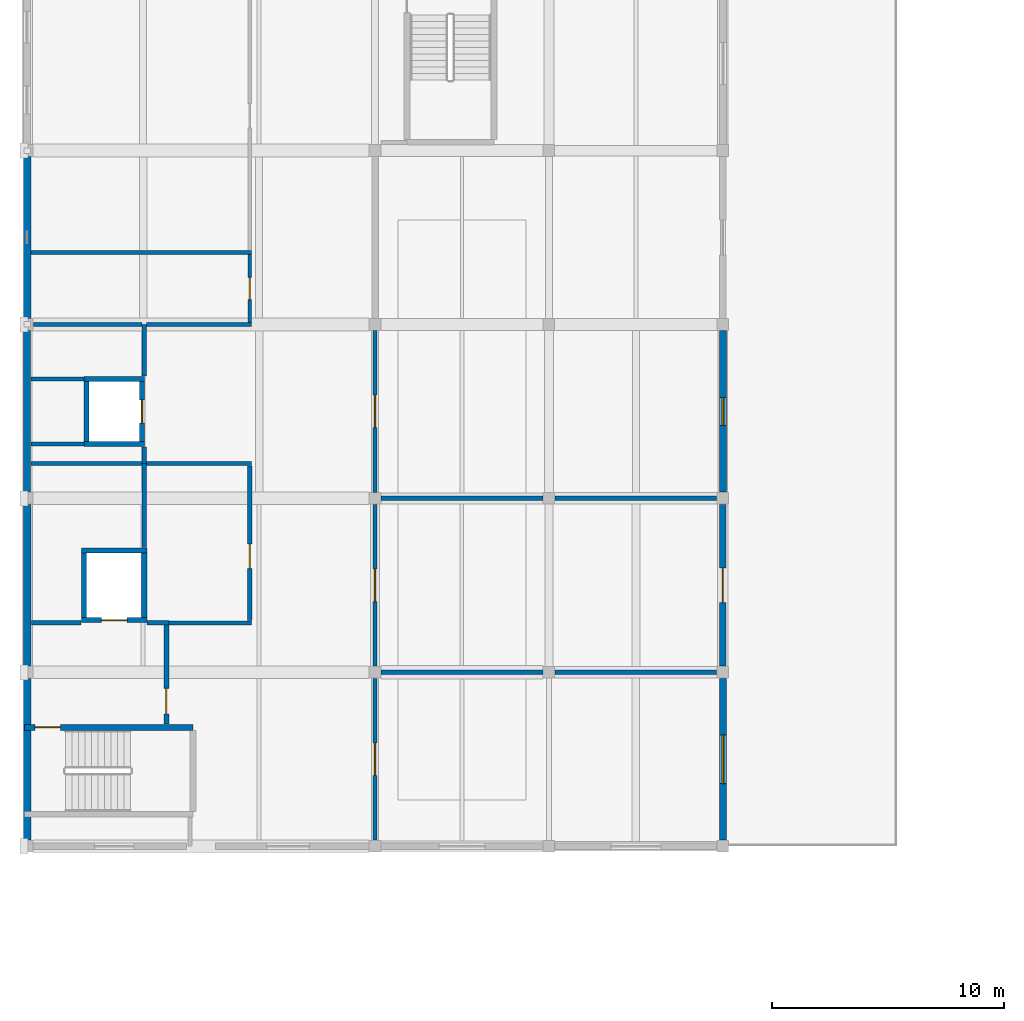
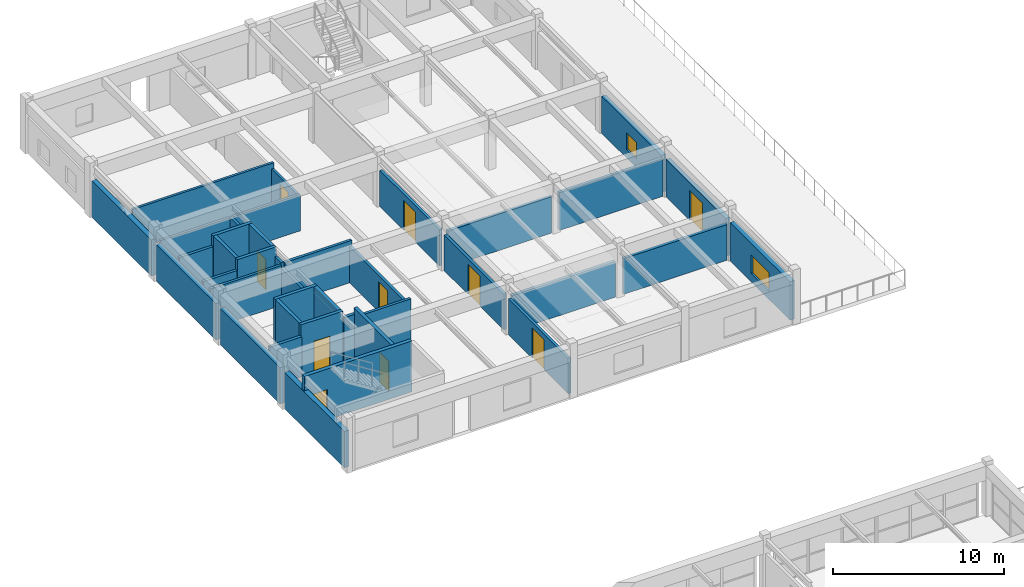
# One storey, part 64 of 82: 39 walls, 10 doors, 2 windows, 12 openings.
"""IFC4 building model written with IfcOpenShell, lengths in metres."""

import ifcopenshell
import ifcopenshell.guid

model = None  # the IFC model being written
_history = None  # IfcOwnerHistory: only IFC2X3 demands one
_inside = {}  # id of a spatial element -> (the spatial element, [elements in it])
_under = {}  # id of a project, library or spatial element -> (it, [spatial elements below it])
_declared = {}  # id of a project -> (the project, [libraries it declares])
_typed = {}  # id of a type object -> (the type object, [elements of that type])
_made_of = {}  # id of a material, layer set ... -> (it, [elements and type objects made of it])


def new_model(schema):
    """Start an empty IFC model of exactly this schema.

    Asked for "IFC4X3", IfcOpenShell would pick the latest addendum, in which some entities
    have other attributes; the version numbers below select the first issue.
    IFC2X3 requires an IfcOwnerHistory on every rooted entity: one is made here for all.
    """
    global model, _history
    if schema == "IFC4X3":
        model = ifcopenshell.file(schema_version=(4, 3, 0, 0))
    else:
        model = ifcopenshell.file(schema=schema)
    _inside.clear()
    _under.clear()
    _declared.clear()
    _typed.clear()
    _made_of.clear()
    _history = None
    if model.schema == "IFC2X3":
        org = make("IfcOrganization", Name="unknown")
        user = make(
            "IfcPersonAndOrganization",
            ThePerson=make("IfcPerson", FamilyName="unknown"),
            TheOrganization=org,
        )
        app = make(
            "IfcApplication",
            ApplicationDeveloper=org,
            Version="unknown",
            ApplicationFullName="unknown",
            ApplicationIdentifier="unknown",
        )
        _history = make(
            "IfcOwnerHistory",
            OwningUser=user,
            OwningApplication=app,
            ChangeAction="ADDED",
            CreationDate=0,
        )
    return model


def make(cls, **values):
    """One entity of the class cls with the attributes given. An attribute that is None is left unset."""
    return model.create_entity(
        cls, **{name: value for name, value in values.items() if value is not None}
    )


def rooted(cls, **values):
    """An entity with a GlobalId (a new one), such as an element, a storey or a relation."""
    return make(cls, GlobalId=ifcopenshell.guid.new(), OwnerHistory=_history, **values)


def si_unit(unit_type, name, prefix=None):
    """IfcSIUnit, for example si_unit("LENGTHUNIT", "METRE", prefix="MILLI")."""
    return make("IfcSIUnit", UnitType=unit_type, Prefix=prefix, Name=name)


def assignment(units):
    """IfcUnitAssignment: the units of a project."""
    return None if units is None else make("IfcUnitAssignment", Units=units)


def point(xyz):
    """IfcCartesianPoint."""
    return None if xyz is None else make("IfcCartesianPoint", Coordinates=xyz)


def direction(xyz):
    """IfcDirection."""
    return None if xyz is None else make("IfcDirection", DirectionRatios=xyz)


def frame(location, z_axis=None, x_axis=None):
    """IfcAxis2Placement3D, a coordinate frame: its origin and axes. An axis left out is left unset."""
    return make(
        "IfcAxis2Placement3D",
        Location=point(location),
        Axis=direction(z_axis),
        RefDirection=direction(x_axis),
    )


def frame_2d(location, x_axis=None):
    """IfcAxis2Placement2D, a coordinate frame in the plane: its origin and x axis."""
    return make(
        "IfcAxis2Placement2D", Location=point(location), RefDirection=direction(x_axis)
    )


def origin():
    """The frame at (0, 0, 0) with its axes left unset."""
    return frame((0.0, 0.0, 0.0))


def place(relative_to, where):
    """IfcLocalPlacement: puts the frame where relative to a parent placement (None: the world)."""
    return make(
        "IfcLocalPlacement", PlacementRelTo=relative_to, RelativePlacement=where
    )


def context(
    kind, dimensions, precision=None, world=None, true_north=None, identifier=None
):
    """IfcGeometricRepresentationContext, for example the 3D "Model" context."""
    return make(
        "IfcGeometricRepresentationContext",
        ContextIdentifier=identifier,
        ContextType=kind,
        CoordinateSpaceDimension=dimensions,
        Precision=precision,
        WorldCoordinateSystem=world,
        TrueNorth=true_north,
    )


def subcontext(parent, identifier, kind, view, scale=None):
    """IfcGeometricRepresentationSubContext, for example "Body" below "Model"."""
    return make(
        "IfcGeometricRepresentationSubContext",
        ContextIdentifier=identifier,
        ContextType=kind,
        ParentContext=parent,
        TargetScale=scale,
        TargetView=view,
    )


def project(units=None, contexts=None):
    """IfcProject with its units and contexts."""
    return rooted(
        "IfcProject",
        Name="project",
        RepresentationContexts=contexts,
        UnitsInContext=assignment(units),
    )


def spatial(cls, under=None, at=None, **own):
    """A site, building, storey or space (cls), placed at a placement, below another one or the project."""
    s = rooted(cls, ObjectPlacement=at, **own)
    if under is not None:
        _under.setdefault(under.id(), (under, []))[1].append(s)
    return s


def profile(cls, at=None, kind="AREA", **sizes):
    """A parametric profile (cls). Its sizes go by their IFC names, for example OverallWidth=200.0."""
    return make(cls, ProfileType=kind, Position=at, **sizes)


def rectangle(**sizes):
    """IfcRectangleProfileDef."""
    return profile("IfcRectangleProfileDef", **sizes)


def extrude(swept, where, along, depth):
    """IfcExtrudedAreaSolid: the profile swept, set in the frame where, extruded along a direction by depth."""
    return make(
        "IfcExtrudedAreaSolid",
        SweptArea=swept,
        Position=where,
        ExtrudedDirection=direction(along),
        Depth=depth,
    )


def shape(context_of_items, identifier, shape_type, items):
    """IfcShapeRepresentation: the items that make up one representation, for example the "Body"."""
    return make(
        "IfcShapeRepresentation",
        ContextOfItems=context_of_items,
        RepresentationIdentifier=identifier,
        RepresentationType=shape_type,
        Items=items,
    )


def material(Name=None, Category=None):
    """IfcMaterial."""
    return make("IfcMaterial", Name=Name, Category=Category)


def layer(
    of_material, thickness, ventilated=None, Name=None, Category=None, Priority=None
):
    """IfcMaterialLayer: one layer of a wall or slab, of a material (None: an air gap)."""
    return make(
        "IfcMaterialLayer",
        Material=of_material,
        LayerThickness=thickness,
        IsVentilated=ventilated,
        Name=Name,
        Category=Category,
        Priority=Priority,
    )


def layer_set(layers, Name=None):
    """IfcMaterialLayerSet."""
    return make("IfcMaterialLayerSet", MaterialLayers=layers, LayerSetName=Name)


def made_of(thing, what):
    """Note that an element or type object is made of a material, layer set ...; save() writes the relation."""
    if what is not None:
        _made_of.setdefault(what.id(), (what, []))[1].append(thing)
    return thing


def type_object(cls, material=None, **own):
    """A type object (cls), such as IfcWallType, which elements share."""
    return made_of(rooted(cls, **own), material)


def element(
    cls,
    number,
    at=None,
    inside=None,
    cuts=None,
    type_object=None,
    material=None,
    context=None,
    identifier="Body",
    shape_type=None,
    held_by="IfcProductDefinitionShape",
    body=None,
    shapes=None,
    **own,
):
    """One element of the class cls, such as IfcWall. Its Tag is "e" and its number.

    at: its placement. inside: the storey or other place that contains it. cuts: it is an
    opening in that element (IfcRelVoidsElement). A single representation is given by context,
    identifier, shape_type and body (its items); several are given by shapes. held_by: the class
    of the entity that holds the representations. save() writes the other relations.
    """
    e = rooted(cls, Tag="e%d" % number, ObjectPlacement=at, **own)
    if body is not None:
        shapes = [shape(context, identifier, shape_type, body)]
    if shapes is not None:
        e.Representation = make(held_by, Representations=shapes)
    if inside is not None:
        _inside.setdefault(inside.id(), (inside, []))[1].append(e)
    if cuts is not None:
        rooted(
            "IfcRelVoidsElement", RelatingBuildingElement=cuts, RelatedOpeningElement=e
        )
    if type_object is not None:
        _typed.setdefault(type_object.id(), (type_object, []))[1].append(e)
    return made_of(e, material)


def fill(opening, filler):
    """IfcRelFillsElement: the door or window that sits in an opening."""
    return rooted(
        "IfcRelFillsElement",
        RelatingOpeningElement=opening,
        RelatedBuildingElement=filler,
    )


def aggregate(whole, parts):
    """IfcRelAggregates: a whole, such as a stair, and the parts it consists of."""
    return rooted("IfcRelAggregates", RelatingObject=whole, RelatedObjects=parts)


def save(model, path):
    """Write the relations noted so far, then the file.

    IfcRelAggregates (storeys below a building ...), IfcRelContainedInSpatialStructure (elements
    in a storey), IfcRelDefinesByType, IfcRelAssociatesMaterial and IfcRelDeclares: one each for
    every whole, place, type object, material and project.
    """
    for whole, parts in _under.values():
        aggregate(whole, parts)
    for where, things in _inside.values():
        rooted(
            "IfcRelContainedInSpatialStructure",
            RelatedElements=things,
            RelatingStructure=where,
        )
    for kind, things in _typed.values():
        rooted("IfcRelDefinesByType", RelatedObjects=things, RelatingType=kind)
    for what, things in _made_of.values():
        rooted("IfcRelAssociatesMaterial", RelatedObjects=things, RelatingMaterial=what)
    for by, libraries in _declared.values():
        rooted("IfcRelDeclares", RelatingContext=by, RelatedDefinitions=libraries)
    model.write(path)


model = new_model("IFC4")

# Units and contexts
model_context = context("Model", 3, precision=1e-05, world=origin(), true_north=direction((0.0, 1.0)))
body_context = subcontext(model_context, "Body", "Model", "MODEL_VIEW")
ifc_project = project(units=[si_unit("LENGTHUNIT", "METRE"), si_unit("AREAUNIT", "SQUARE_METRE"), si_unit("VOLUMEUNIT", "CUBIC_METRE"), si_unit("PLANEANGLEUNIT", "RADIAN"), si_unit("MASSUNIT", "GRAM", prefix="KILO")], contexts=[model_context])

# Site, building, storey
site_placement = place(None, origin())
site = spatial("IfcSite", under=ifc_project, at=site_placement, CompositionType="ELEMENT")
building_placement = place(site_placement, origin())
building = spatial("IfcBuilding", under=site, at=building_placement, Name="Qasida Concert Hall", CompositionType="ELEMENT")
storey_placement = place(building_placement, frame((0.0, 0.0, 17.10009765625)))
storey = spatial("IfcBuildingStorey", under=building, at=storey_placement, Name="L04", CompositionType="ELEMENT", Elevation=17.10009765625)

# Walls
ifc_material_1 = material(Name="Concrete C40/50", Category="concrete")
ifc_layer_1 = layer(ifc_material_1, 0.219970703125, Name="Concrete C40/50")
ifc_layer_set_1 = layer_set([ifc_layer_1], Name="Concrete C40/50")
wall_type_1 = type_object("IfcWallType", Name="WL-CW-220", PredefinedType="SOLIDWALL", material=ifc_layer_set_1)
for number, where, z_axis, x_axis, name in (
    (1, (2.43994140625, 92.35009765625, 0.0), (0.0, 0.0, 1.0), (1.0, 0.0, 0.0), "L04 LF-07 lift shaft wall S"),
    (2, (2.43994140625, 95.14990234375, 0.0), (0.0, 0.0, 1.0), (1.0, 0.0, 0.0), "L04 LF-07 lift shaft wall N"),
):
    element("IfcWall", number, at=place(storey_placement, frame(where, z_axis=z_axis, x_axis=x_axis)), inside=storey, type_object=wall_type_1, Name=name, PredefinedType="SOLIDWALL", context=body_context, shape_type="SweptSolid", body=[
        extrude(rectangle(XDim=2.6201171875, YDim=0.219970703125, at=frame_2d((1.31005859375, 0.0))), origin(), (0.0, 0.0, 1.0), 3.619873046875),
    ])
wall_1_placement = place(storey_placement, frame((2.550048828125, 92.4599609375, 0.0), z_axis=(0.0, 0.0, 1.0), x_axis=(0.0, 1.0, 0.0)))
element("IfcWall", 3, at=wall_1_placement, inside=storey, type_object=wall_type_1, Name="L04 LF-07 lift shaft wall W", PredefinedType="SOLIDWALL", context=body_context, shape_type="SweptSolid", body=[
    extrude(rectangle(XDim=2.580078125, YDim=0.219970703125, at=frame_2d((1.2900390625, 0.0))), origin(), (0.0, 0.0, 1.0), 3.619873046875),
])

# Wall, opening, door
wall_2_placement = place(storey_placement, frame((4.949951171875, 92.4599609375, 0.0), z_axis=(0.0, 0.0, 1.0), x_axis=(0.0, 1.0, 0.0)))
wall_2 = element("IfcWall", 4, at=wall_2_placement, inside=storey, type_object=wall_type_1, Name="L04 LF-07 lift shaft wall E", PredefinedType="SOLIDWALL", context=body_context, shape_type="SweptSolid", body=[
    extrude(rectangle(XDim=2.580078125, YDim=0.219970703125, at=frame_2d((1.2900390625, 0.0))), origin(), (0.0, 0.0, 1.0), 3.619873046875),
])
opening_1_placement = place(wall_2_placement, frame((0.7900390625, 0.0, 0.0)))
opening_1 = element("IfcOpeningElement", 5, at=opening_1_placement, cuts=wall_2, Name="Opening LD-100", PredefinedType="OPENING", context=body_context, shape_type="SweptSolid", body=[
    extrude(rectangle(XDim=1.0, YDim=2.14990234375, at=frame_2d((0.5, 1.074951171875))), frame((0.0, 0.119873046875, 0.0), z_axis=(0.0, -1.0, 0.0), x_axis=(1.0, 0.0, 0.0)), (0.0, 0.0, 1.0), 0.239990234375),
])
ifc_material_2 = material(Name="Brushed bronze passenger lift landing door", Category="steel")
door_type_1 = type_object("IfcDoorType", Name="LD-100", OperationType="SLIDING_TO_LEFT", PredefinedType="DOOR", material=ifc_material_2)
door_1_placement = place(opening_1_placement, origin())
door_1 = element("IfcDoor", 6, at=door_1_placement, inside=storey, type_object=door_type_1, Name="Lift landing door LF-07 L04", OperationType="SLIDING_TO_LEFT", OverallHeight=2.14990234375, OverallWidth=1.0, PredefinedType="DOOR", context=body_context, shape_type="SweptSolid", body=[
    extrude(rectangle(XDim=1.0, YDim=2.14990234375, at=frame_2d((0.5, 1.074951171875))), frame((0.0, 0.02490234375, 0.0), z_axis=(0.0, -1.0, 0.0), x_axis=(1.0, 0.0, 0.0)), (0.0, 0.0, 1.0), 0.050048828125),
])
fill(opening_1, door_1)

wall_3_placement = place(storey_placement, frame((2.340087890625, 84.75, 0.0), z_axis=(0.0, 0.0, 1.0), x_axis=(1.0, 0.0, 0.0)))
wall_3 = element("IfcWall", 7, at=wall_3_placement, inside=storey, type_object=wall_type_1, Name="L04 LF-08 lift shaft wall S", PredefinedType="SOLIDWALL", context=body_context, shape_type="SweptSolid", body=[
    extrude(rectangle(XDim=2.81982421875, YDim=0.219970703125, at=frame_2d((1.409912109375, 0.0))), origin(), (0.0, 0.0, 1.0), 3.619873046875),
])
opening_2_placement = place(wall_3_placement, frame((0.860107421875, 0.0, 0.0)))
opening_2 = element("IfcOpeningElement", 8, at=opening_2_placement, cuts=wall_3, Name="Opening LD-110", PredefinedType="OPENING", context=body_context, shape_type="SweptSolid", body=[
    extrude(rectangle(XDim=1.10009765625, YDim=2.14990234375, at=frame_2d((0.550048828125, 1.074951171875))), frame((0.0, 0.119873046875, 0.0), z_axis=(0.0, -1.0, 0.0), x_axis=(1.0, 0.0, 0.0)), (0.0, 0.0, 1.0), 0.239990234375),
])
ifc_material_3 = material(Name="Firefighting lift sliding landing door", Category="steel")
door_type_2 = type_object("IfcDoorType", Name="LD-110", OperationType="SLIDING_TO_LEFT", PredefinedType="DOOR", material=ifc_material_3)
door_2_placement = place(opening_2_placement, origin())
door_2 = element("IfcDoor", 9, at=door_2_placement, inside=storey, type_object=door_type_2, Name="Lift landing door LF-08 L04", OperationType="SLIDING_TO_LEFT", OverallHeight=2.14990234375, OverallWidth=1.10009765625, PredefinedType="DOOR", context=body_context, shape_type="SweptSolid", body=[
    extrude(rectangle(XDim=1.10009765625, YDim=2.14990234375, at=frame_2d((0.550048828125, 1.074951171875))), frame((0.0, 0.02490234375, 0.0), z_axis=(0.0, -1.0, 0.0), x_axis=(1.0, 0.0, 0.0)), (0.0, 0.0, 1.0), 0.050048828125),
])
fill(opening_2, door_2)

# Walls
wall_4_placement = place(storey_placement, frame((2.340087890625, 87.75, 0.0), z_axis=(0.0, 0.0, 1.0), x_axis=(1.0, 0.0, 0.0)))
element("IfcWall", 10, at=wall_4_placement, inside=storey, type_object=wall_type_1, Name="L04 LF-08 lift shaft wall N", PredefinedType="SOLIDWALL", context=body_context, shape_type="SweptSolid", body=[
    extrude(rectangle(XDim=2.81982421875, YDim=0.219970703125, at=frame_2d((1.409912109375, 0.0))), origin(), (0.0, 0.0, 1.0), 3.619873046875),
])
for number, where, z_axis, x_axis, name in (
    (11, (2.449951171875, 84.860107421875, 0.0), (0.0, 0.0, 1.0), (0.0, 1.0, 0.0), "L04 LF-08 lift shaft wall W"),
    (12, (5.050048828125, 84.860107421875, 0.0), (0.0, 0.0, 1.0), (0.0, 1.0, 0.0), "L04 LF-08 lift shaft wall E"),
):
    element("IfcWall", number, at=place(storey_placement, frame(where, z_axis=z_axis, x_axis=x_axis)), inside=storey, type_object=wall_type_1, Name=name, PredefinedType="SOLIDWALL", context=body_context, shape_type="SweptSolid", body=[
        extrude(rectangle(XDim=2.77978515625, YDim=0.219970703125, at=frame_2d((1.389892578125, 0.0))), origin(), (0.0, 0.0, 1.0), 3.619873046875),
    ])

# Wall, opening, door
wall_5_placement = place(storey_placement, frame((6.0, 80.260009765625, 0.0), z_axis=(0.0, 0.0, 1.0), x_axis=(0.0, 1.0, 0.0)))
wall_5 = element("IfcWall", 13, at=wall_5_placement, inside=storey, type_object=wall_type_1, Name="L04 LF-08 firefighting lobby wall", PredefinedType="SOLIDWALL", context=body_context, shape_type="SweptSolid", body=[
    extrude(rectangle(XDim=4.369873046875, YDim=0.219970703125, at=frame_2d((2.18505859375, 0.0))), origin(), (0.0, 0.0, 1.0), 3.619873046875),
])
opening_3_placement = place(wall_5_placement, frame((0.449951171875, 0.0, 0.0)))
opening_3 = element("IfcOpeningElement", 14, at=opening_3_placement, cuts=wall_5, Name="Opening FD-110", PredefinedType="OPENING", context=body_context, shape_type="SweptSolid", body=[
    extrude(rectangle(XDim=1.10009765625, YDim=2.14990234375, at=frame_2d((0.550048828125, 1.074951171875))), frame((0.0, 0.119873046875, 0.0), z_axis=(0.0, -1.0, 0.0), x_axis=(1.0, 0.0, 0.0)), (0.0, 0.0, 1.0), 0.239990234375),
])
ifc_material_4 = material(Name="Steel fire-rated stair/lobby door set", Category="steel")
door_type_3 = type_object("IfcDoorType", Name="FD-110", OperationType="NOTDEFINED", PredefinedType="DOOR", material=ifc_material_4)
door_3_placement = place(opening_3_placement, origin())
door_3 = element("IfcDoor", 15, at=door_3_placement, inside=storey, type_object=door_type_3, Name="L04 LF-08 firefighting lobby fire door", OperationType="SINGLE_SWING_LEFT", OverallHeight=2.14990234375, OverallWidth=1.10009765625, PredefinedType="DOOR", context=body_context, shape_type="SweptSolid", body=[
    extrude(rectangle(XDim=1.10009765625, YDim=2.14990234375, at=frame_2d((0.550048828125, 1.074951171875))), frame((0.0, 0.02490234375, 0.0), z_axis=(0.0, -1.0, 0.0), x_axis=(1.0, 0.0, 0.0)), (0.0, 0.0, 1.0), 0.050048828125),
])
fill(opening_3, door_3)

ifc_layer_2 = layer(ifc_material_1, 0.25, Name="Concrete C40/50")
ifc_layer_set_2 = layer_set([ifc_layer_2], Name="Concrete C40/50")
wall_type_2 = type_object("IfcWallType", Name="WL-CW-250", PredefinedType="SOLIDWALL", material=ifc_layer_set_2)
wall_6_placement = place(storey_placement, frame((-0.1201171875, 80.125, 0.0), z_axis=(0.0, 0.0, 1.0), x_axis=(1.0, 0.0, 0.0)))
wall_6 = element("IfcWall", 16, at=wall_6_placement, inside=storey, type_object=wall_type_2, Name="L04 ST-05 stairwell wall N", PredefinedType="SOLIDWALL", context=body_context, shape_type="SweptSolid", body=[
    extrude(rectangle(XDim=7.260009765625, YDim=0.25, at=frame_2d((3.6298828125, 0.0))), origin(), (0.0, 0.0, 1.0), 3.619873046875),
])
opening_4_placement = place(wall_6_placement, frame((0.449951171875, 0.0, 0.0)))
opening_4 = element("IfcOpeningElement", 17, at=opening_4_placement, cuts=wall_6, Name="Opening FD-110", PredefinedType="OPENING", context=body_context, shape_type="SweptSolid", body=[
    extrude(rectangle(XDim=1.10009765625, YDim=2.14990234375, at=frame_2d((0.550048828125, 1.074951171875))), frame((0.0, 0.135009765625, 0.0), z_axis=(0.0, -1.0, 0.0), x_axis=(1.0, 0.0, 0.0)), (0.0, 0.0, 1.0), 0.27001953125),
])
door_4_placement = place(opening_4_placement, origin())
door_4 = element("IfcDoor", 18, at=door_4_placement, inside=storey, type_object=door_type_3, Name="L04 ST-05 rated stair door", OperationType="SINGLE_SWING_RIGHT", OverallHeight=2.14990234375, OverallWidth=1.10009765625, PredefinedType="DOOR", context=body_context, shape_type="SweptSolid", body=[
    extrude(rectangle(XDim=1.10009765625, YDim=2.14990234375, at=frame_2d((0.550048828125, 1.074951171875))), frame((0.0, 0.02490234375, 0.0), z_axis=(0.0, -1.0, 0.0), x_axis=(1.0, 0.0, 0.0)), (0.0, 0.0, 1.0), 0.050048828125),
])
fill(opening_4, door_4)

ifc_material_5 = material(Name="Precast concrete C40/50", Category="concrete")
ifc_layer_3 = layer(ifc_material_5, 0.280029296875, Name="Precast concrete C40/50")
ifc_layer_set_3 = layer_set([ifc_layer_3], Name="Precast concrete C40/50")
wall_type_3 = type_object("IfcWallType", Name="WL-EW-280", PredefinedType="SOLIDWALL", material=ifc_layer_set_3)
wall_7_placement = place(storey_placement, frame((30.0, 82.764892578125, 0.0), z_axis=(0.0, 0.0, 1.0), x_axis=(0.0, 1.0, 0.0)))
wall_7 = element("IfcWall", 19, at=wall_7_placement, inside=storey, type_object=wall_type_3, Name="L04 exterior wall EW-280 0303", PredefinedType="SOLIDWALL", context=body_context, shape_type="SweptSolid", body=[
    extrude(rectangle(XDim=6.97021484375, YDim=0.280029296875, at=frame_2d((3.485107421875, 0.0))), origin(), (0.0, 0.0, 1.0), 2.68994140625),
])
opening_5_placement = place(wall_7_placement, frame((2.735107421875, 0.0, 0.0)))
opening_5 = element("IfcOpeningElement", 20, at=opening_5_placement, cuts=wall_7, Name="Opening TD-150", PredefinedType="OPENING", context=body_context, shape_type="SweptSolid", body=[
    extrude(rectangle(XDim=1.5, YDim=2.14990234375, at=frame_2d((0.75, 1.074951171875))), frame((0.0, 0.14990234375, 0.0), z_axis=(0.0, -1.0, 0.0), x_axis=(1.0, 0.0, 0.0)), (0.0, 0.0, 1.0), 0.300048828125),
])
ifc_material_6 = material(Name="Patinated architectural bronze and laminated safety glass", Category="glass")
door_type_4 = type_object("IfcDoorType", Name="TD-150", OperationType="NOTDEFINED", PredefinedType="DOOR", material=ifc_material_6)
door_5_placement = place(opening_5_placement, frame((1.5, 0.0, 0.0), z_axis=(0.0, 0.0, 1.0), x_axis=(-1.0, 0.0, 0.0)))
door_5 = element("IfcDoor", 21, at=door_5_placement, inside=storey, type_object=door_type_4, Name="L04 ziggurat east terrace door 1", OperationType="SINGLE_SWING_LEFT", OverallHeight=2.14990234375, OverallWidth=1.5, PredefinedType="DOOR", context=body_context, shape_type="SweptSolid", body=[
    extrude(rectangle(XDim=1.5, YDim=2.14990234375, at=frame_2d((0.75, 1.074951171875))), frame((0.0, 0.02490234375, 0.0), z_axis=(0.0, -1.0, 0.0), x_axis=(1.0, 0.0, 0.0)), (0.0, 0.0, 1.0), 0.050048828125),
])
fill(opening_5, door_5)

# Wall, opening, window
ifc_layer_4 = layer(ifc_material_5, 0.300048828125, Name="Precast concrete C40/50")
ifc_layer_set_4 = layer_set([ifc_layer_4], Name="Precast concrete C40/50")
wall_type_4 = type_object("IfcWallType", Name="WL-EW-300", PredefinedType="SOLIDWALL", material=ifc_layer_set_4)
wall_8_placement = place(storey_placement, frame((30.0, 75.264892578125, 0.0), z_axis=(0.0, 0.0, 1.0), x_axis=(0.0, 1.0, 0.0)))
wall_8 = element("IfcWall", 22, at=wall_8_placement, inside=storey, type_object=wall_type_4, Name="L04 exterior wall EW-300 0301", PredefinedType="SOLIDWALL", context=body_context, shape_type="SweptSolid", body=[
    extrude(rectangle(XDim=6.97021484375, YDim=0.300048828125, at=frame_2d((3.485107421875, 0.0))), origin(), (0.0, 0.0, 1.0), 2.739990234375),
])
opening_6_placement = place(wall_8_placement, frame((2.43505859375, 0.0, 0.60009765625)))
opening_6 = element("IfcOpeningElement", 23, at=opening_6_placement, cuts=wall_8, Name="Opening WN-15", PredefinedType="OPENING", context=body_context, shape_type="SweptSolid", body=[
    extrude(rectangle(XDim=2.10009765625, YDim=1.300048828125, at=frame_2d((1.050048828125, 0.64990234375))), frame((0.0, 0.159912109375, 0.0), z_axis=(0.0, -1.0, 0.0), x_axis=(1.0, 0.0, 0.0)), (0.0, 0.0, 1.0), 0.320068359375),
])
ifc_material_7 = material(Name="Bronze-anodized aluminium frame with acoustic low-E glazing", Category="aluminium")
window_type_1 = type_object("IfcWindowType", Name="WN-15", PartitioningType="SINGLE_PANEL", PredefinedType="WINDOW", material=ifc_material_7)
window_1_placement = place(opening_6_placement, origin())
window_1 = element("IfcWindow", 24, at=window_1_placement, inside=storey, type_object=window_type_1, Name="L04 window WN-15 0166", OverallHeight=1.300048828125, OverallWidth=2.10009765625, PartitioningType="SINGLE_PANEL", PredefinedType="WINDOW", context=body_context, shape_type="SweptSolid", body=[
    extrude(rectangle(XDim=2.10009765625, YDim=1.300048828125, at=frame_2d((1.050048828125, 0.64990234375))), frame((0.0, 0.030029296875, 0.0), z_axis=(0.0, -1.0, 0.0), x_axis=(1.0, 0.0, 0.0)), (0.0, 0.0, 1.0), 0.06005859375),
])
fill(opening_6, window_1)

# Wall
wall_9_placement = place(storey_placement, frame((0.0, 90.264892578125, 0.0), z_axis=(0.0, 0.0, 1.0), x_axis=(0.0, 1.0, 0.0)))
element("IfcWall", 25, at=wall_9_placement, inside=storey, type_object=wall_type_4, Name="L04 exterior wall EW-300 0304", PredefinedType="SOLIDWALL", context=body_context, shape_type="SweptSolid", body=[
    extrude(rectangle(XDim=6.97021484375, YDim=0.300048828125, at=frame_2d((3.485107421875, 0.0))), origin(), (0.0, 0.0, 1.0), 2.58984375),
])

# Wall, opening, window
wall_10_placement = place(storey_placement, frame((30.0, 90.264892578125, 0.0), z_axis=(0.0, 0.0, 1.0), x_axis=(0.0, 1.0, 0.0)))
wall_10 = element("IfcWall", 26, at=wall_10_placement, inside=storey, type_object=wall_type_4, Name="L04 exterior wall EW-300 0305", PredefinedType="SOLIDWALL", context=body_context, shape_type="SweptSolid", body=[
    extrude(rectangle(XDim=6.97021484375, YDim=0.300048828125, at=frame_2d((3.485107421875, 0.0))), origin(), (0.0, 0.0, 1.0), 2.639892578125),
])
opening_7_placement = place(wall_10_placement, frame((2.885009765625, 0.0, 0.60009765625)))
opening_7 = element("IfcOpeningElement", 27, at=opening_7_placement, cuts=wall_10, Name="Opening WN-17", PredefinedType="OPENING", context=body_context, shape_type="SweptSolid", body=[
    extrude(rectangle(XDim=1.199951171875, YDim=1.199951171875, at=frame_2d((0.60009765625, 0.60009765625))), frame((0.0, 0.159912109375, 0.0), z_axis=(0.0, -1.0, 0.0), x_axis=(1.0, 0.0, 0.0)), (0.0, 0.0, 1.0), 0.320068359375),
])
window_type_2 = type_object("IfcWindowType", Name="WN-17", PartitioningType="SINGLE_PANEL", PredefinedType="WINDOW", material=ifc_material_7)
window_2_placement = place(opening_7_placement, origin())
window_2 = element("IfcWindow", 28, at=window_2_placement, inside=storey, type_object=window_type_2, Name="L04 window WN-17 0167", OverallHeight=1.199951171875, OverallWidth=1.199951171875, PartitioningType="SINGLE_PANEL", PredefinedType="WINDOW", context=body_context, shape_type="SweptSolid", body=[
    extrude(rectangle(XDim=1.199951171875, YDim=1.199951171875, at=frame_2d((0.60009765625, 0.60009765625))), frame((0.0, 0.030029296875, 0.0), z_axis=(0.0, -1.0, 0.0), x_axis=(1.0, 0.0, 0.0)), (0.0, 0.0, 1.0), 0.06005859375),
])
fill(opening_7, window_2)

# Walls
ifc_layer_5 = layer(ifc_material_5, 0.320068359375, Name="Precast concrete C40/50")
ifc_layer_set_5 = layer_set([ifc_layer_5], Name="Precast concrete C40/50")
wall_type_5 = type_object("IfcWallType", Name="WL-EW-320", PredefinedType="SOLIDWALL", material=ifc_layer_set_5)
for number, where, z_axis, x_axis, name in (
    (29, (0.0, 75.264892578125, 0.0), (0.0, 0.0, 1.0), (0.0, 1.0, 0.0), "L04 exterior wall EW-320 0300"),
    (30, (0.0, 82.764892578125, 0.0), (0.0, 0.0, 1.0), (0.0, 1.0, 0.0), "L04 exterior wall EW-320 0302"),
    (31, (0.0, 97.764892578125, 0.0), (0.0, 0.0, 1.0), (0.0, 1.0, 0.0), "L04 exterior wall EW-320 0306"),
):
    element("IfcWall", number, at=place(storey_placement, frame(where, z_axis=z_axis, x_axis=x_axis)), inside=storey, type_object=wall_type_5, Name=name, PredefinedType="SOLIDWALL", context=body_context, shape_type="SweptSolid", body=[
        extrude(rectangle(XDim=6.97021484375, YDim=0.320068359375, at=frame_2d((3.485107421875, 0.0))), origin(), (0.0, 0.0, 1.0), 2.58984375),
    ])
ifc_material_8 = material(Name="Moisture-resistant gypsum partition", Category="gypsum")
ifc_layer_6 = layer(ifc_material_8, 0.159912109375, Name="Moisture-resistant gypsum partition")
ifc_layer_set_6 = layer_set([ifc_layer_6], Name="Moisture-resistant gypsum partition")
wall_type_6 = type_object("IfcWallType", Name="WL-PW-160", PredefinedType="PARTITIONING", material=ifc_layer_set_6)
wall_11_placement = place(storey_placement, frame((0.263916015625, 97.5, 0.0), z_axis=(0.0, 0.0, 1.0), x_axis=(1.0, 0.0, 0.0)))
element("IfcWall", 32, at=wall_11_placement, inside=storey, type_object=wall_type_6, Name="L04 partition PW-160 0361", PredefinedType="PARTITIONING", context=body_context, shape_type="SweptSolid", body=[
    extrude(rectangle(XDim=4.68212890625, YDim=0.159912109375, at=frame_2d((2.341064453125, 0.0))), origin(), (0.0, 0.0, 1.0), 2.58984375),
])
wall_12_placement = place(storey_placement, frame((5.154052734375, 97.5, 0.0), z_axis=(0.0, 0.0, 1.0), x_axis=(1.0, 0.0, 0.0)))
element("IfcWall", 33, at=wall_12_placement, inside=storey, type_object=wall_type_6, Name="L04 partition PW-160 0362", PredefinedType="PARTITIONING", context=body_context, shape_type="SweptSolid", body=[
    extrude(rectangle(XDim=4.52587890625, YDim=0.159912109375, at=frame_2d((2.262939453125, 0.0))), origin(), (0.0, 0.0, 1.0), 2.58984375),
])
wall_13_placement = place(storey_placement, frame((0.174072265625, 100.60009765625, 0.0), z_axis=(0.0, 0.0, 1.0), x_axis=(1.0, 0.0, 0.0)))
element("IfcWall", 34, at=wall_13_placement, inside=storey, type_object=wall_type_6, Name="L04 partition PW-160 0363", PredefinedType="PARTITIONING", context=body_context, shape_type="SweptSolid", body=[
    extrude(rectangle(XDim=9.505859375, YDim=0.159912109375, at=frame_2d((4.7529296875, 0.0))), origin(), (0.0, 0.0, 1.0), 2.969970703125),
])

# Wall, opening, door
wall_14_placement = place(storey_placement, frame((9.60009765625, 97.593994140625, 0.0), z_axis=(0.0, 0.0, 1.0), x_axis=(0.0, 1.0, 0.0)))
wall_14 = element("IfcWall", 35, at=wall_14_placement, inside=storey, type_object=wall_type_6, Name="L04 partition PW-160 0364", PredefinedType="PARTITIONING", context=body_context, shape_type="SweptSolid", body=[
    extrude(rectangle(XDim=2.912109375, YDim=0.159912109375, at=frame_2d((1.4560546875, 0.0))), origin(), (0.0, 0.0, 1.0), 2.58984375),
])
opening_8_placement = place(wall_14_placement, frame((0.98095703125, 0.0, 0.0)))
opening_8 = element("IfcOpeningElement", 36, at=opening_8_placement, cuts=wall_14, Name="Opening ID-095", PredefinedType="OPENING", context=body_context, shape_type="SweptSolid", body=[
    extrude(rectangle(XDim=0.949951171875, YDim=2.10009765625, at=frame_2d((0.47509765625, 1.050048828125))), frame((0.0, 0.08984375, 0.0), z_axis=(0.0, -1.0, 0.0), x_axis=(1.0, 0.0, 0.0)), (0.0, 0.0, 1.0), 0.179931640625),
])
ifc_material_9 = material(Name="Quarter-sawn oak accessible WC door", Category="wood")
door_type_5 = type_object("IfcDoorType", Name="ID-095", OperationType="NOTDEFINED", PredefinedType="DOOR", material=ifc_material_9)
door_6_placement = place(opening_8_placement, origin())
door_6 = element("IfcDoor", 37, at=door_6_placement, inside=storey, type_object=door_type_5, Name="L04 Conservatory accessible WC door", OperationType="SINGLE_SWING_RIGHT", OverallHeight=2.10009765625, OverallWidth=0.949951171875, PredefinedType="DOOR", context=body_context, shape_type="SweptSolid", body=[
    extrude(rectangle(XDim=0.949951171875, YDim=2.10009765625, at=frame_2d((0.47509765625, 1.050048828125))), frame((0.0, 0.02490234375, 0.0), z_axis=(0.0, -1.0, 0.0), x_axis=(1.0, 0.0, 0.0)), (0.0, 0.0, 1.0), 0.050048828125),
])
fill(opening_8, door_6)

# Walls
ifc_material_10 = material(Name="Acoustic metal-stud gypsum partition", Category="gypsum")
ifc_layer_7 = layer(ifc_material_10, 0.179931640625, Name="Acoustic metal-stud gypsum partition")
ifc_layer_set_7 = layer_set([ifc_layer_7], Name="Acoustic metal-stud gypsum partition")
wall_type_7 = type_object("IfcWallType", Name="WL-PW-180", PredefinedType="PARTITIONING", material=ifc_layer_set_7)
wall_15_placement = place(storey_placement, frame((5.050048828125, 87.8740234375, 0.0), z_axis=(0.0, 0.0, 1.0), x_axis=(0.0, 1.0, 0.0)))
element("IfcWall", 38, at=wall_15_placement, inside=storey, type_object=wall_type_7, Name="L04 partition PW-180 0352", PredefinedType="PARTITIONING", context=body_context, shape_type="SweptSolid", body=[
    extrude(rectangle(XDim=3.6259765625, YDim=0.179931640625, at=frame_2d((1.81298828125, 0.0))), origin(), (0.0, 0.0, 1.0), 2.58984375),
])
wall_16_placement = place(storey_placement, frame((6.1240234375, 84.6298828125, 0.0), z_axis=(0.0, 0.0, 1.0), x_axis=(1.0, 0.0, 0.0)))
element("IfcWall", 39, at=wall_16_placement, inside=storey, type_object=wall_type_7, Name="L04 partition PW-180 0353", PredefinedType="PARTITIONING", context=body_context, shape_type="SweptSolid", body=[
    extrude(rectangle(XDim=3.555908203125, YDim=0.179931640625, at=frame_2d((1.77783203125, 0.0))), origin(), (0.0, 0.0, 1.0), 2.969970703125),
])
wall_17_placement = place(storey_placement, frame((0.1640625, 91.5, 0.0), z_axis=(0.0, 0.0, 1.0), x_axis=(1.0, 0.0, 0.0)))
element("IfcWall", 40, at=wall_17_placement, inside=storey, type_object=wall_type_7, Name="L04 partition PW-180 0354", PredefinedType="PARTITIONING", context=body_context, shape_type="SweptSolid", body=[
    extrude(rectangle(XDim=4.781982421875, YDim=0.179931640625, at=frame_2d((2.39111328125, 0.0))), origin(), (0.0, 0.0, 1.0), 2.83984375),
])
wall_18_placement = place(storey_placement, frame((5.154052734375, 91.5, 0.0), z_axis=(0.0, 0.0, 1.0), x_axis=(1.0, 0.0, 0.0)))
element("IfcWall", 41, at=wall_18_placement, inside=storey, type_object=wall_type_7, Name="L04 partition PW-180 0355", PredefinedType="PARTITIONING", context=body_context, shape_type="SweptSolid", body=[
    extrude(rectangle(XDim=4.52587890625, YDim=0.179931640625, at=frame_2d((2.262939453125, 0.0))), origin(), (0.0, 0.0, 1.0), 2.969970703125),
])

# Wall, opening, door
wall_19_placement = place(storey_placement, frame((9.60009765625, 84.73388671875, 0.0), z_axis=(0.0, 0.0, 1.0), x_axis=(0.0, 1.0, 0.0)))
wall_19 = element("IfcWall", 42, at=wall_19_placement, inside=storey, type_object=wall_type_7, Name="L04 partition PW-180 0356", PredefinedType="PARTITIONING", context=body_context, shape_type="SweptSolid", body=[
    extrude(rectangle(XDim=6.662109375, YDim=0.179931640625, at=frame_2d((3.3310546875, 0.0))), origin(), (0.0, 0.0, 1.0), 2.58984375),
])
opening_9_placement = place(wall_19_placement, frame((2.240966796875, 0.0, 0.0)))
opening_9 = element("IfcOpeningElement", 43, at=opening_9_placement, cuts=wall_19, Name="Opening ID-105", PredefinedType="OPENING", context=body_context, shape_type="SweptSolid", body=[
    extrude(rectangle(XDim=1.050048828125, YDim=2.1201171875, at=frame_2d((0.52490234375, 1.06005859375))), frame((0.0, 0.099853515625, 0.0), z_axis=(0.0, -1.0, 0.0), x_axis=(1.0, 0.0, 0.0)), (0.0, 0.0, 1.0), 0.199951171875),
])
ifc_material_11 = material(Name="Quarter-sawn oak practice studio door", Category="wood")
door_type_6 = type_object("IfcDoorType", Name="ID-105", OperationType="NOTDEFINED", PredefinedType="DOOR", material=ifc_material_11)
door_7_placement = place(opening_9_placement, origin())
door_7 = element("IfcDoor", 44, at=door_7_placement, inside=storey, type_object=door_type_6, Name="L04 Soloist practice booth door", OperationType="SINGLE_SWING_LEFT", OverallHeight=2.1201171875, OverallWidth=1.050048828125, PredefinedType="DOOR", context=body_context, shape_type="SweptSolid", body=[
    extrude(rectangle(XDim=1.050048828125, YDim=2.1201171875, at=frame_2d((0.52490234375, 1.06005859375))), frame((0.0, 0.02490234375, 0.0), z_axis=(0.0, -1.0, 0.0), x_axis=(1.0, 0.0, 0.0)), (0.0, 0.0, 1.0), 0.050048828125),
])
fill(opening_9, door_7)

# Walls
for number, where, z_axis, x_axis, name in (
    (45, (0.1640625, 92.35009765625, 0.0), (0.0, 0.0, 1.0), (1.0, 0.0, 0.0), "L04 partition PW-180 0357"),
    (46, (0.1640625, 95.14990234375, 0.0), (0.0, 0.0, 1.0), (1.0, 0.0, 0.0), "L04 partition PW-180 0358"),
):
    element("IfcWall", number, at=place(storey_placement, frame(where, z_axis=z_axis, x_axis=x_axis)), inside=storey, type_object=wall_type_7, Name=name, PredefinedType="PARTITIONING", context=body_context, shape_type="SweptSolid", body=[
        extrude(rectangle(XDim=2.27587890625, YDim=0.179931640625, at=frame_2d((1.137939453125, 0.0))), origin(), (0.0, 0.0, 1.0), 2.83984375),
    ])
wall_20_placement = place(storey_placement, frame((5.050048828125, 91.5, 0.0), z_axis=(0.0, 0.0, 1.0), x_axis=(0.0, 1.0, 0.0)))
element("IfcWall", 47, at=wall_20_placement, inside=storey, type_object=wall_type_7, Name="L04 partition PW-180 0359", PredefinedType="PARTITIONING", context=body_context, shape_type="SweptSolid", body=[
    extrude(rectangle(XDim=0.72607421875, YDim=0.179931640625, at=frame_2d((0.363037109375, 0.0))), origin(), (0.0, 0.0, 1.0), 2.969970703125),
])
wall_21_placement = place(storey_placement, frame((5.050048828125, 95.27392578125, 0.0), z_axis=(0.0, 0.0, 1.0), x_axis=(0.0, 1.0, 0.0)))
element("IfcWall", 48, at=wall_21_placement, inside=storey, type_object=wall_type_7, Name="L04 partition PW-180 0360", PredefinedType="PARTITIONING", context=body_context, shape_type="SweptSolid", body=[
    extrude(rectangle(XDim=2.22607421875, YDim=0.179931640625, at=frame_2d((1.113037109375, 0.0))), origin(), (0.0, 0.0, 1.0), 2.58984375),
])

# Wall, opening, door
wall_22_placement = place(storey_placement, frame((15.0, 75.263916015625, 0.0), z_axis=(0.0, 0.0, 1.0), x_axis=(0.0, 1.0, 0.0)))
wall_22 = element("IfcWall", 49, at=wall_22_placement, inside=storey, type_object=wall_type_7, Name="L04 partition PW-180 0371", PredefinedType="PARTITIONING", context=body_context, shape_type="SweptSolid", body=[
    extrude(rectangle(XDim=6.97216796875, YDim=0.179931640625, at=frame_2d((3.486083984375, 0.0))), origin(), (0.0, 0.0, 1.0), 2.539794921875),
])
opening_10_placement = place(wall_22_placement, frame((2.785888671875, 0.0, 0.0)))
opening_10 = element("IfcOpeningElement", 50, at=opening_10_placement, cuts=wall_22, Name="Opening AD-140", PredefinedType="OPENING", context=body_context, shape_type="SweptSolid", body=[
    extrude(rectangle(XDim=1.39990234375, YDim=2.139892578125, at=frame_2d((0.699951171875, 1.06982421875))), frame((0.0, 0.099853515625, 0.0), z_axis=(0.0, -1.0, 0.0), x_axis=(1.0, 0.0, 0.0)), (0.0, 0.0, 1.0), 0.199951171875),
])
ifc_material_12 = material(Name="Acoustic studio sound-lock door", Category="wood")
door_type_7 = type_object("IfcDoorType", Name="AD-140", OperationType="NOTDEFINED", PredefinedType="DOOR", material=ifc_material_12)
door_8_placement = place(opening_10_placement, origin())
door_8 = element("IfcDoor", 51, at=door_8_placement, inside=storey, type_object=door_type_7, Name="L04 Practice room suite door", OperationType="SINGLE_SWING_RIGHT", OverallHeight=2.139892578125, OverallWidth=1.39990234375, PredefinedType="DOOR", context=body_context, shape_type="SweptSolid", body=[
    extrude(rectangle(XDim=1.39990234375, YDim=2.139892578125, at=frame_2d((0.699951171875, 1.06982421875))), frame((0.0, 0.02490234375, 0.0), z_axis=(0.0, -1.0, 0.0), x_axis=(1.0, 0.0, 0.0)), (0.0, 0.0, 1.0), 0.050048828125),
])
fill(opening_10, door_8)

wall_23_placement = place(storey_placement, frame((15.0, 82.763916015625, 0.0), z_axis=(0.0, 0.0, 1.0), x_axis=(0.0, 1.0, 0.0)))
wall_23 = element("IfcWall", 52, at=wall_23_placement, inside=storey, type_object=wall_type_7, Name="L04 partition PW-180 0372", PredefinedType="PARTITIONING", context=body_context, shape_type="SweptSolid", body=[
    extrude(rectangle(XDim=6.97216796875, YDim=0.179931640625, at=frame_2d((3.486083984375, 0.0))), origin(), (0.0, 0.0, 1.0), 2.539794921875),
])
opening_11_placement = place(wall_23_placement, frame((2.785888671875, 0.0, 0.0)))
opening_11 = element("IfcOpeningElement", 53, at=opening_11_placement, cuts=wall_23, Name="Opening AD-140", PredefinedType="OPENING", context=body_context, shape_type="SweptSolid", body=[
    extrude(rectangle(XDim=1.39990234375, YDim=2.139892578125, at=frame_2d((0.699951171875, 1.06982421875))), frame((0.0, 0.099853515625, 0.0), z_axis=(0.0, -1.0, 0.0), x_axis=(1.0, 0.0, 0.0)), (0.0, 0.0, 1.0), 0.199951171875),
])
door_9_placement = place(opening_11_placement, origin())
door_9 = element("IfcDoor", 54, at=door_9_placement, inside=storey, type_object=door_type_7, Name="L04 Percussion studio door", OperationType="SINGLE_SWING_LEFT", OverallHeight=2.139892578125, OverallWidth=1.39990234375, PredefinedType="DOOR", context=body_context, shape_type="SweptSolid", body=[
    extrude(rectangle(XDim=1.39990234375, YDim=2.139892578125, at=frame_2d((0.699951171875, 1.06982421875))), frame((0.0, 0.02490234375, 0.0), z_axis=(0.0, -1.0, 0.0), x_axis=(1.0, 0.0, 0.0)), (0.0, 0.0, 1.0), 0.050048828125),
])
fill(opening_11, door_9)

wall_24_placement = place(storey_placement, frame((15.0, 90.263916015625, 0.0), z_axis=(0.0, 0.0, 1.0), x_axis=(0.0, 1.0, 0.0)))
wall_24 = element("IfcWall", 55, at=wall_24_placement, inside=storey, type_object=wall_type_7, Name="L04 partition PW-180 0373", PredefinedType="PARTITIONING", context=body_context, shape_type="SweptSolid", body=[
    extrude(rectangle(XDim=6.97216796875, YDim=0.179931640625, at=frame_2d((3.486083984375, 0.0))), origin(), (0.0, 0.0, 1.0), 2.58984375),
])
opening_12_placement = place(wall_24_placement, frame((2.785888671875, 0.0, 0.0)))
opening_12 = element("IfcOpeningElement", 56, at=opening_12_placement, cuts=wall_24, Name="Opening AD-140", PredefinedType="OPENING", context=body_context, shape_type="SweptSolid", body=[
    extrude(rectangle(XDim=1.39990234375, YDim=2.139892578125, at=frame_2d((0.699951171875, 1.06982421875))), frame((0.0, 0.099853515625, 0.0), z_axis=(0.0, -1.0, 0.0), x_axis=(1.0, 0.0, 0.0)), (0.0, 0.0, 1.0), 0.199951171875),
])
door_10_placement = place(opening_12_placement, origin())
door_10 = element("IfcDoor", 57, at=door_10_placement, inside=storey, type_object=door_type_7, Name="L04 Harp and continuo studio door", OperationType="SINGLE_SWING_RIGHT", OverallHeight=2.139892578125, OverallWidth=1.39990234375, PredefinedType="DOOR", context=body_context, shape_type="SweptSolid", body=[
    extrude(rectangle(XDim=1.39990234375, YDim=2.139892578125, at=frame_2d((0.699951171875, 1.06982421875))), frame((0.0, 0.02490234375, 0.0), z_axis=(0.0, -1.0, 0.0), x_axis=(1.0, 0.0, 0.0)), (0.0, 0.0, 1.0), 0.050048828125),
])
fill(opening_12, door_10)

# Walls
ifc_material_13 = material(Name="Acoustic gypsum block and mineral wool", Category="gypsum")
ifc_layer_8 = layer(ifc_material_13, 0.199951171875, Name="Acoustic gypsum block and mineral wool")
ifc_layer_set_8 = layer_set([ifc_layer_8], Name="Acoustic gypsum block and mineral wool")
wall_type_8 = type_object("IfcWallType", Name="WL-PW-200", PredefinedType="PARTITIONING", material=ifc_layer_set_8)
wall_25_placement = place(storey_placement, frame((0.179931640625, 84.6298828125, 0.0), z_axis=(0.0, 0.0, 1.0), x_axis=(1.0, 0.0, 0.0)))
element("IfcWall", 58, at=wall_25_placement, inside=storey, type_object=wall_type_8, Name="L04 LF-08 firefighting lobby return wall", PredefinedType="PARTITIONING", context=body_context, shape_type="SweptSolid", body=[
    extrude(rectangle(XDim=2.14501953125, YDim=0.199951171875, at=frame_2d((1.072509765625, 0.0))), origin(), (0.0, 0.0, 1.0), 2.849853515625),
])
wall_26_placement = place(storey_placement, frame((5.175048828125, 84.6298828125, 0.0), z_axis=(0.0, 0.0, 1.0), x_axis=(1.0, 0.0, 0.0)))
element("IfcWall", 59, at=wall_26_placement, inside=storey, type_object=wall_type_8, Name="L04 LF-08 firefighting lobby return wall", PredefinedType="PARTITIONING", context=body_context, shape_type="SweptSolid", body=[
    extrude(rectangle(XDim=0.93505859375, YDim=0.199951171875, at=frame_2d((0.467529296875, 0.0))), origin(), (0.0, 0.0, 1.0), 3.199951171875),
])
for number, where, z_axis, x_axis, name in (
    (60, (15.263916015625, 82.5, 0.0), (0.0, 0.0, 1.0), (1.0, 0.0, 0.0), "L04 partition PW-200 0367"),
    (61, (22.763916015625, 82.5, 0.0), (0.0, 0.0, 1.0), (1.0, 0.0, 0.0), "L04 partition PW-200 0368"),
):
    element("IfcWall", number, at=place(storey_placement, frame(where, z_axis=z_axis, x_axis=x_axis)), inside=storey, type_object=wall_type_8, Name=name, PredefinedType="PARTITIONING", context=body_context, shape_type="SweptSolid", body=[
        extrude(rectangle(XDim=6.97216796875, YDim=0.199951171875, at=frame_2d((3.486083984375, 0.0))), origin(), (0.0, 0.0, 1.0), 2.539794921875),
    ])
wall_27_placement = place(storey_placement, frame((15.263916015625, 90.0, 0.0), z_axis=(0.0, 0.0, 1.0), x_axis=(1.0, 0.0, 0.0)))
element("IfcWall", 62, at=wall_27_placement, inside=storey, type_object=wall_type_8, Name="L04 partition PW-200 0369", PredefinedType="PARTITIONING", context=body_context, shape_type="SweptSolid", body=[
    extrude(rectangle(XDim=6.97216796875, YDim=0.199951171875, at=frame_2d((3.486083984375, 0.0))), origin(), (0.0, 0.0, 1.0), 2.58984375),
])
wall_28_placement = place(storey_placement, frame((22.763916015625, 90.0, 0.0), z_axis=(0.0, 0.0, 1.0), x_axis=(1.0, 0.0, 0.0)))
element("IfcWall", 63, at=wall_28_placement, inside=storey, type_object=wall_type_8, Name="L04 partition PW-200 0370", PredefinedType="PARTITIONING", context=body_context, shape_type="SweptSolid", body=[
    extrude(rectangle(XDim=6.97216796875, YDim=0.199951171875, at=frame_2d((3.486083984375, 0.0))), origin(), (0.0, 0.0, 1.0), 2.68994140625),
])

save(model, "model.ifc")
